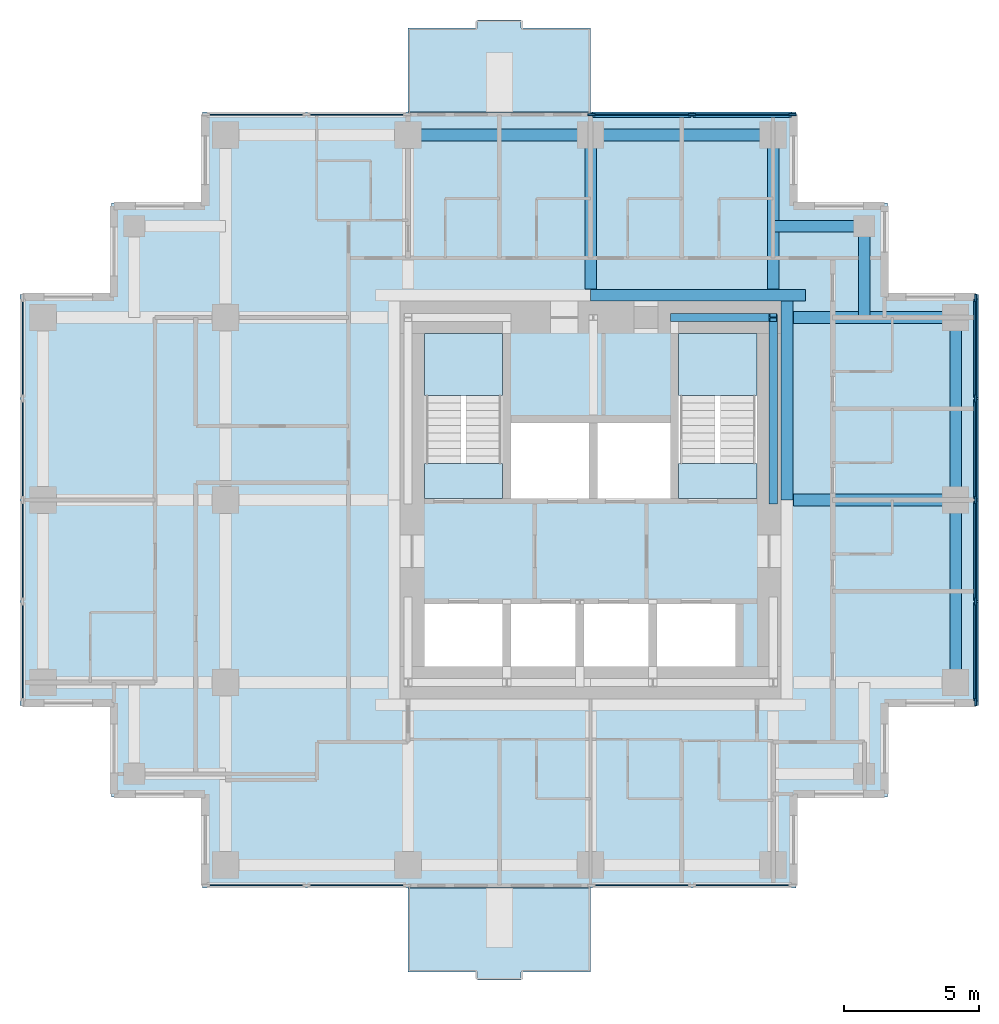
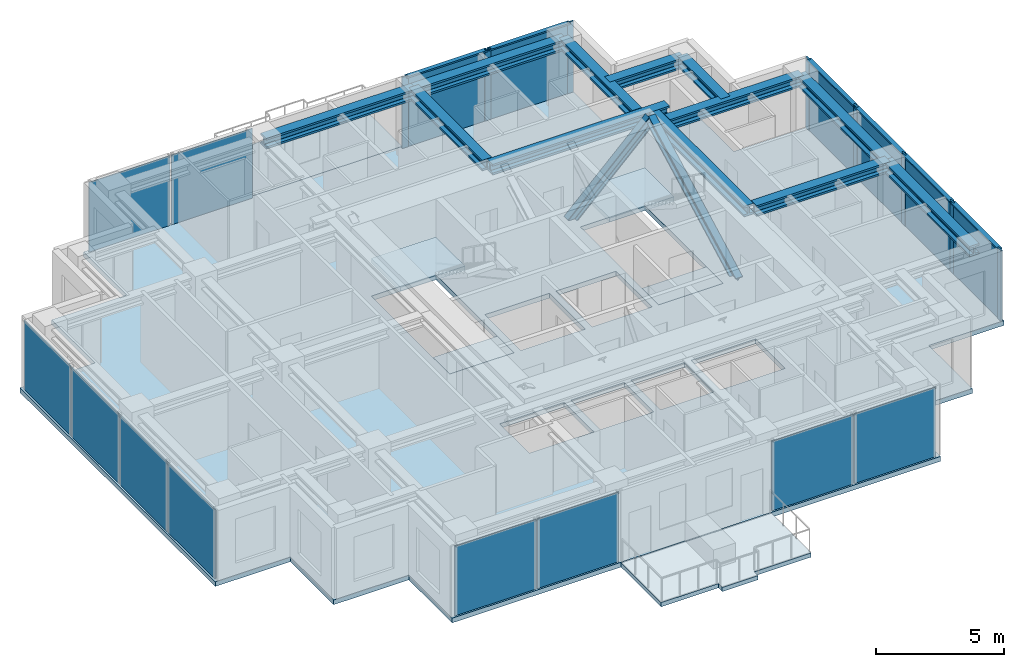
# One storey, part 2 of 8: 16 members, 16 plates, 12 beams, 7 slabs, 8 elements without a shape of their own.
"""IFC4 building model written with IfcOpenShell, lengths in metres."""

from ifc_helpers import new_model, si_unit, direction, frame, origin, origin_2d, place, context, subcontext, project, spatial, polyline, rectangle, i_section, outline, extrude, material, layer, layer_set, material_profile, profile_set, type_object, element, aggregate, save


model = new_model("IFC4")

# Units and contexts
model_context = context("Model", 3, precision=1e-05, world=origin(), true_north=direction((0.0, 1.0)))
body_context = subcontext(model_context, "Body", "Model", "MODEL_VIEW")
ifc_project = project(units=[si_unit("LENGTHUNIT", "METRE"), si_unit("AREAUNIT", "SQUARE_METRE"), si_unit("VOLUMEUNIT", "CUBIC_METRE"), si_unit("PLANEANGLEUNIT", "RADIAN"), si_unit("MASSUNIT", "GRAM", prefix="KILO")], contexts=[model_context])

# Site, building, storey
site_placement = place(None, origin())
site = spatial("IfcSite", under=ifc_project, at=site_placement, CompositionType="ELEMENT")
building_placement = place(site_placement, origin())
building = spatial("IfcBuilding", under=site, at=building_placement, Name="Nyansa Garden Tower", CompositionType="ELEMENT")
storey_placement = place(building_placement, frame((0.0, 0.0, 233.10009765625)))
storey = spatial("IfcBuildingStorey", under=building, at=storey_placement, Name="L63", CompositionType="ELEMENT", Elevation=233.10009765625)

# Curtain wall, members
ifc_material_1 = material(Name="Black anodised aluminium, dark tinted double glazing", Category="aluminium")
curtain_wall_type = type_object("IfcCurtainWallType", Name="Inner skin curtain wall ISW-D", PredefinedType="USERDEFINED", material=ifc_material_1)
curtain_wall_1_placement = place(storey_placement, origin())
curtain_wall_1 = element("IfcCurtainWall", 1, at=curtain_wall_1_placement, inside=storey, type_object=curtain_wall_type, Name="Inner skin curtain wall L63 E", ObjectType="UNITISED CURTAIN WALL", PredefinedType="USERDEFINED")
ifc_material_2 = material(Name="Black anodised aluminium", Category="aluminium")
ifc_material_profile_1 = material_profile(ifc_material_2, rectangle(XDim=0.070068359375, YDim=0.27490234375, at=origin_2d()), Name="Mullion 275x70")
ifc_profile_set_1 = profile_set([ifc_material_profile_1], Name="Black anodised aluminium")
member_type_1 = type_object("IfcMemberType", Name="Mullion ISW-D 275x70", PredefinedType="MULLION", material=ifc_profile_set_1)
member_1_placement = place(storey_placement, frame((34.5, 12.784912109375, 0.0), z_axis=(0.0, 0.0, 1.0), x_axis=(-1.0, 0.0, 0.0)))
member_1 = element("IfcMember", 2, at=member_1_placement, type_object=member_type_1, Name="ISW-D mullion 1", PredefinedType="MULLION", context=body_context, shape_type="SweptSolid", body=[
    extrude(rectangle(XDim=0.070068359375, YDim=0.27490234375, at=origin_2d()), origin(), (0.0, 0.0, 1.0), 3.375),
])
member_2_placement = place(storey_placement, frame((34.5, 16.5, 0.0), z_axis=(0.0, 0.0, 1.0), x_axis=(-1.0, 0.0, 0.0)))
member_2 = element("IfcMember", 3, at=member_2_placement, type_object=member_type_1, Name="ISW-D mullion 2", PredefinedType="MULLION", context=body_context, shape_type="SweptSolid", body=[
    extrude(rectangle(XDim=0.070068359375, YDim=0.27490234375, at=origin_2d()), origin(), (0.0, 0.0, 1.0), 3.375),
])
member_3_placement = place(storey_placement, frame((34.5, 20.25, 0.0), z_axis=(0.0, 0.0, 1.0), x_axis=(-1.0, 0.0, 0.0)))
member_3 = element("IfcMember", 4, at=member_3_placement, type_object=member_type_1, Name="ISW-D mullion 3", PredefinedType="MULLION", context=body_context, shape_type="SweptSolid", body=[
    extrude(rectangle(XDim=0.070068359375, YDim=0.27490234375, at=origin_2d()), origin(), (0.0, 0.0, 1.0), 3.375),
])
member_4_placement = place(storey_placement, frame((34.5, 24.0, 0.0), z_axis=(0.0, 0.0, 1.0), x_axis=(-1.0, 0.0, 0.0)))
member_4 = element("IfcMember", 5, at=member_4_placement, type_object=member_type_1, Name="ISW-D mullion 4", PredefinedType="MULLION", context=body_context, shape_type="SweptSolid", body=[
    extrude(rectangle(XDim=0.070068359375, YDim=0.27490234375, at=origin_2d()), origin(), (0.0, 0.0, 1.0), 3.375),
])
member_5_placement = place(storey_placement, frame((34.5, 27.715087890625, 0.0), z_axis=(0.0, 0.0, 1.0), x_axis=(-1.0, 0.0, 0.0)))
member_5 = element("IfcMember", 6, at=member_5_placement, type_object=member_type_1, Name="ISW-D mullion 5", PredefinedType="MULLION", context=body_context, shape_type="SweptSolid", body=[
    extrude(rectangle(XDim=0.070068359375, YDim=0.27490234375, at=origin_2d()), origin(), (0.0, 0.0, 1.0), 3.375),
])

curtain_wall_2_placement = place(storey_placement, origin())
curtain_wall_2 = element("IfcCurtainWall", 7, at=curtain_wall_2_placement, inside=storey, type_object=curtain_wall_type, Name="Inner skin curtain wall L63 N", ObjectType="UNITISED CURTAIN WALL", PredefinedType="USERDEFINED")
member_6_placement = place(storey_placement, frame((27.715087890625, 34.5, 0.0), z_axis=(0.0, 0.0, 1.0), x_axis=(0.0, -1.0, 0.0)))
member_6 = element("IfcMember", 8, at=member_6_placement, type_object=member_type_1, Name="ISW-D mullion 1", PredefinedType="MULLION", context=body_context, shape_type="SweptSolid", body=[
    extrude(rectangle(XDim=0.070068359375, YDim=0.27490234375, at=origin_2d()), origin(), (0.0, 0.0, 1.0), 3.375),
])
member_7_placement = place(storey_placement, frame((24.0, 34.5, 0.0), z_axis=(0.0, 0.0, 1.0), x_axis=(0.0, -1.0, 0.0)))
member_7 = element("IfcMember", 9, at=member_7_placement, type_object=member_type_1, Name="ISW-D mullion 2", PredefinedType="MULLION", context=body_context, shape_type="SweptSolid", body=[
    extrude(rectangle(XDim=0.070068359375, YDim=0.27490234375, at=origin_2d()), origin(), (0.0, 0.0, 1.0), 3.375),
])
member_8_placement = place(storey_placement, frame((20.284912109375, 34.5, 0.0), z_axis=(0.0, 0.0, 1.0), x_axis=(0.0, -1.0, 0.0)))
member_8 = element("IfcMember", 10, at=member_8_placement, type_object=member_type_1, Name="ISW-D mullion 3", PredefinedType="MULLION", context=body_context, shape_type="SweptSolid", body=[
    extrude(rectangle(XDim=0.070068359375, YDim=0.27490234375, at=origin_2d()), origin(), (0.0, 0.0, 1.0), 3.375),
])

# Members
ifc_material_3 = material(Name="Steel S355", Category="steel")
ifc_material_profile_2 = material_profile(ifc_material_3, i_section(OverallWidth=0.306884765625, OverallDepth=0.431884765625, WebThickness=0.02099609375, FlangeThickness=0.0400390625, FilletRadius=0.027099609375, at=origin_2d()), Name="HE 400 M")
ifc_profile_set_2 = profile_set([ifc_material_profile_2], Name="Steel S355")
member_type_2 = type_object("IfcMemberType", Name="Perimeter brace HE 400 M", PredefinedType="BRACE", material=ifc_profile_set_2)
member_9_placement = place(storey_placement, frame((23.35009765625, 27.0, 0.0), z_axis=(0.711971340796, 0.0, 0.702208523079), x_axis=(0.0, 1.0, 0.0)))
element("IfcMember", 11, at=member_9_placement, inside=storey, type_object=member_type_2, Name="Core brace CN4 L63", PredefinedType="BRACE", context=body_context, shape_type="SweptSolid", body=[
    extrude(i_section(OverallWidth=0.306884765625, OverallDepth=0.431884765625, WebThickness=0.02099609375, FlangeThickness=0.0400390625, FilletRadius=0.027099609375, at=origin_2d()), origin(), (0.0, 0.0, 1.0), 5.12646484375),
])
member_10_placement = place(storey_placement, frame((27.0, 20.199951171875, 0.0), z_axis=(0.0, 0.883797178129, 0.467870225524), x_axis=(-1.0, 0.0, 0.0)))
element("IfcMember", 12, at=member_10_placement, inside=storey, type_object=member_type_2, Name="Core brace CE8 L63", PredefinedType="BRACE", context=body_context, shape_type="SweptSolid", body=[
    extrude(i_section(OverallWidth=0.306884765625, OverallDepth=0.431884765625, WebThickness=0.02099609375, FlangeThickness=0.0400390625, FilletRadius=0.027099609375, at=origin_2d()), origin(), (0.0, 0.0, 1.0), 7.694091796875),
])

# Beams
ifc_material_4 = material(Name="Steel S355", Category="steel")
ifc_material_profile_3 = material_profile(ifc_material_4, i_section(OverallWidth=0.431884765625, OverallDepth=0.498046875, WebThickness=0.0556640625, FlangeThickness=0.0888671875, FilletRadius=0.014892578125, at=origin_2d()), Name="HD 400x744")
ifc_profile_set_3 = profile_set([ifc_material_profile_3], Name="Steel S355")
beam_type_1 = type_object("IfcBeamType", Name="Steel beam SBD1-744 HD 400x744", PredefinedType="BEAM", material=ifc_profile_set_3)
beam_1_placement = place(storey_placement, frame((20.25, 28.050048828125, 3.1259765625), z_axis=(0.0, 1.0, 0.0), x_axis=(-1.0, 0.0, 0.0)))
element("IfcBeam", 13, at=beam_1_placement, inside=storey, type_object=beam_type_1, Name="Steel beam 5/28.050-5/J L64", PredefinedType="BEAM", context=body_context, shape_type="SweptSolid", body=[
    extrude(i_section(OverallWidth=0.431884765625, OverallDepth=0.498046875, WebThickness=0.0556640625, FlangeThickness=0.0888671875, FilletRadius=0.014892578125, at=origin_2d()), origin(), (0.0, 0.0, 1.0), 5.699951171875),
])
beam_2_placement = place(storey_placement, frame((27.75, 20.25, 3.1259765625), z_axis=(1.0, 0.0, 0.0), x_axis=(0.0, 1.0, 0.0)))
element("IfcBeam", 14, at=beam_2_placement, inside=storey, type_object=beam_type_1, Name="Steel beam 27.750/G-7/G L64", PredefinedType="BEAM", context=body_context, shape_type="SweptSolid", body=[
    extrude(i_section(OverallWidth=0.431884765625, OverallDepth=0.498046875, WebThickness=0.0556640625, FlangeThickness=0.0888671875, FilletRadius=0.014892578125, at=origin_2d()), origin(), (0.0, 0.0, 1.0), 6.0),
])
beam_3_placement = place(storey_placement, frame((27.0, 28.050048828125, 3.1259765625), z_axis=(0.0, 1.0, 0.0), x_axis=(-1.0, 0.0, 0.0)))
element("IfcBeam", 15, at=beam_3_placement, inside=storey, type_object=beam_type_1, Name="Steel beam 6/28.050-6/J L64", PredefinedType="BEAM", context=body_context, shape_type="SweptSolid", body=[
    extrude(i_section(OverallWidth=0.431884765625, OverallDepth=0.498046875, WebThickness=0.0556640625, FlangeThickness=0.0888671875, FilletRadius=0.014892578125, at=origin_2d()), origin(), (0.0, 0.0, 1.0), 5.699951171875),
])
beam_4_placement = place(storey_placement, frame((27.75, 27.0, 3.1259765625), z_axis=(1.0, 0.0, 0.0), x_axis=(0.0, 1.0, 0.0)))
element("IfcBeam", 16, at=beam_4_placement, inside=storey, type_object=beam_type_1, Name="Steel beam 27.750/H-7/H L64", PredefinedType="BEAM", context=body_context, shape_type="SweptSolid", body=[
    extrude(i_section(OverallWidth=0.431884765625, OverallDepth=0.498046875, WebThickness=0.0556640625, FlangeThickness=0.0888671875, FilletRadius=0.014892578125, at=origin_2d()), origin(), (0.0, 0.0, 1.0), 6.0),
])
ifc_material_5 = material(Name="Steel S355", Category="steel")
ifc_material_profile_4 = material_profile(ifc_material_5, i_section(OverallWidth=0.431884765625, OverallDepth=0.498046875, WebThickness=0.0556640625, FlangeThickness=0.0888671875, FilletRadius=0.014892578125, at=origin_2d()), Name="HD 400x744")
ifc_profile_set_4 = profile_set([ifc_material_profile_4], Name="Steel S355")
beam_type_2 = type_object("IfcBeamType", Name="Steel beam SEBD-744 HD 400x744", PredefinedType="BEAM", material=ifc_profile_set_4)
for number, where, z_axis, x_axis, name in (
    (17, (13.5, 33.75, 3.1259765625), (1.0, 0.0, 0.0), (0.0, 1.0, 0.0), "Steel edge beam 4/J-5/J L64"),
    (18, (20.25, 33.75, 3.1259765625), (1.0, 0.0, 0.0), (0.0, 1.0, 0.0), "Steel edge beam 5/J-6/J L64"),
    (19, (33.75, 13.5, 3.1259765625), (0.0, 1.0, 0.0), (-1.0, 0.0, 0.0), "Steel edge beam 7/F-7/G L64"),
    (20, (33.75, 20.25, 3.1259765625), (0.0, 1.0, 0.0), (-1.0, 0.0, 0.0), "Steel edge beam 7/G-7/H L64"),
):
    element("IfcBeam", number, at=place(storey_placement, frame(where, z_axis=z_axis, x_axis=x_axis)), inside=storey, type_object=beam_type_2, Name=name, PredefinedType="BEAM", context=body_context, shape_type="SweptSolid", body=[
        extrude(i_section(OverallWidth=0.431884765625, OverallDepth=0.498046875, WebThickness=0.0556640625, FlangeThickness=0.0888671875, FilletRadius=0.014892578125, at=origin_2d()), origin(), (0.0, 0.0, 1.0), 6.75),
    ])
ifc_material_6 = material(Name="Steel S355", Category="steel")
ifc_material_profile_5 = material_profile(ifc_material_6, i_section(OverallWidth=0.431884765625, OverallDepth=0.498046875, WebThickness=0.0556640625, FlangeThickness=0.0888671875, FilletRadius=0.014892578125, at=origin_2d()), Name="HD 400x744")
ifc_profile_set_5 = profile_set([ifc_material_profile_5], Name="Steel S355")
beam_type_3 = type_object("IfcBeamType", Name="Steel beam SLB1-744 HD 400x744", PredefinedType="BEAM", material=ifc_profile_set_5)
beam_5_placement = place(storey_placement, frame((27.51611328125, 20.25, 3.1259765625), z_axis=(0.0, 1.0, 0.0), x_axis=(-1.0, 0.0, 0.0)))
element("IfcBeam", 21, at=beam_5_placement, inside=storey, type_object=beam_type_3, Name="Steel core ledger beam E.2 L64", PredefinedType="BEAM", context=body_context, shape_type="SweptSolid", body=[
    extrude(i_section(OverallWidth=0.431884765625, OverallDepth=0.498046875, WebThickness=0.0556640625, FlangeThickness=0.0888671875, FilletRadius=0.014892578125, at=origin_2d()), origin(), (0.0, 0.0, 1.0), 7.35009765625),
])
beam_6_placement = place(storey_placement, frame((28.199951171875, 27.81591796875, 3.1259765625), z_axis=(-1.0, 0.0, 0.0), x_axis=(0.0, -1.0, 0.0)))
element("IfcBeam", 22, at=beam_6_placement, inside=storey, type_object=beam_type_3, Name="Steel core ledger beam N.1 L64", PredefinedType="BEAM", context=body_context, shape_type="SweptSolid", body=[
    extrude(i_section(OverallWidth=0.431884765625, OverallDepth=0.498046875, WebThickness=0.0556640625, FlangeThickness=0.0888671875, FilletRadius=0.014892578125, at=origin_2d()), origin(), (0.0, 0.0, 1.0), 7.949951171875),
])
ifc_material_7 = material(Name="Steel S355", Category="steel")
ifc_material_profile_6 = material_profile(ifc_material_7, i_section(OverallWidth=0.431884765625, OverallDepth=0.498046875, WebThickness=0.0556640625, FlangeThickness=0.0888671875, FilletRadius=0.014892578125, at=origin_2d()), Name="HD 400x744")
ifc_profile_set_6 = profile_set([ifc_material_profile_6], Name="Steel S355")
beam_type_4 = type_object("IfcBeamType", Name="Steel beam SSB1-744 HD 400x744", PredefinedType="BEAM", material=ifc_profile_set_6)
for number, where, z_axis, x_axis, name in (
    (23, (30.375, 30.375, 3.1259765625), (0.0, -1.0, 0.0), (1.0, 0.0, 0.0), "Steel step beam 30.375/30.375 L64"),
    (24, (30.375, 30.375, 3.1259765625), (-1.0, 0.0, 0.0), (0.0, -1.0, 0.0), "Steel step beam 30.375/30.375 L64"),
):
    element("IfcBeam", number, at=place(storey_placement, frame(where, z_axis=z_axis, x_axis=x_axis)), inside=storey, type_object=beam_type_4, Name=name, PredefinedType="BEAM", context=body_context, shape_type="SweptSolid", body=[
        extrude(i_section(OverallWidth=0.431884765625, OverallDepth=0.498046875, WebThickness=0.0556640625, FlangeThickness=0.0888671875, FilletRadius=0.014892578125, at=origin_2d()), origin(), (0.0, 0.0, 1.0), 3.375),
    ])

# Member
ifc_material_8 = material(Name="Black anodised aluminium", Category="aluminium")
ifc_material_profile_7 = material_profile(ifc_material_8, rectangle(XDim=0.195068359375, YDim=0.070068359375, at=origin_2d()), Name="Transom 195x70")
ifc_profile_set_7 = profile_set([ifc_material_profile_7], Name="Black anodised aluminium")
member_type_3 = type_object("IfcMemberType", Name="Transom ISW-D 195x70", PredefinedType="USERDEFINED", material=ifc_profile_set_7)
member_11_placement = place(storey_placement, frame((34.5, 12.820068359375, 3.33984375), z_axis=(0.0, 1.0, 0.0), x_axis=(-1.0, 0.0, 0.0)))
member_11 = element("IfcMember", 25, at=member_11_placement, type_object=member_type_3, Name="ISW-D transom 1", ObjectType="TRANSOM", PredefinedType="USERDEFINED", context=body_context, shape_type="SweptSolid", body=[
    extrude(rectangle(XDim=0.195068359375, YDim=0.070068359375, at=origin_2d()), origin(), (0.0, 0.0, 1.0), 3.64501953125),
])

member_12_placement = place(storey_placement, frame((34.5, 16.534912109375, 3.33984375), z_axis=(0.0, 1.0, 0.0), x_axis=(-1.0, 0.0, 0.0)))
member_12 = element("IfcMember", 26, at=member_12_placement, type_object=member_type_3, Name="ISW-D transom 2", ObjectType="TRANSOM", PredefinedType="USERDEFINED", context=body_context, shape_type="SweptSolid", body=[
    extrude(rectangle(XDim=0.195068359375, YDim=0.070068359375, at=origin_2d()), origin(), (0.0, 0.0, 1.0), 3.68017578125),
])

member_13_placement = place(storey_placement, frame((34.5, 20.284912109375, 3.33984375), z_axis=(0.0, 1.0, 0.0), x_axis=(-1.0, 0.0, 0.0)))
member_13 = element("IfcMember", 27, at=member_13_placement, type_object=member_type_3, Name="ISW-D transom 3", ObjectType="TRANSOM", PredefinedType="USERDEFINED", context=body_context, shape_type="SweptSolid", body=[
    extrude(rectangle(XDim=0.195068359375, YDim=0.070068359375, at=origin_2d()), origin(), (0.0, 0.0, 1.0), 3.68017578125),
])

member_14_placement = place(storey_placement, frame((34.5, 24.034912109375, 3.33984375), z_axis=(0.0, 1.0, 0.0), x_axis=(-1.0, 0.0, 0.0)))
member_14 = element("IfcMember", 28, at=member_14_placement, type_object=member_type_3, Name="ISW-D transom 4", ObjectType="TRANSOM", PredefinedType="USERDEFINED", context=body_context, shape_type="SweptSolid", body=[
    extrude(rectangle(XDim=0.195068359375, YDim=0.070068359375, at=origin_2d()), origin(), (0.0, 0.0, 1.0), 3.64501953125),
])

member_15_placement = place(storey_placement, frame((27.679931640625, 34.5, 3.33984375), z_axis=(-1.0, 0.0, 0.0), x_axis=(0.0, -1.0, 0.0)))
member_15 = element("IfcMember", 29, at=member_15_placement, type_object=member_type_3, Name="ISW-D transom 1", ObjectType="TRANSOM", PredefinedType="USERDEFINED", context=body_context, shape_type="SweptSolid", body=[
    extrude(rectangle(XDim=0.195068359375, YDim=0.070068359375, at=origin_2d()), origin(), (0.0, 0.0, 1.0), 3.64501953125),
])

member_16_placement = place(storey_placement, frame((23.965087890625, 34.5, 3.33984375), z_axis=(-1.0, 0.0, 0.0), x_axis=(0.0, -1.0, 0.0)))
member_16 = element("IfcMember", 30, at=member_16_placement, type_object=member_type_3, Name="ISW-D transom 2", ObjectType="TRANSOM", PredefinedType="USERDEFINED", context=body_context, shape_type="SweptSolid", body=[
    extrude(rectangle(XDim=0.195068359375, YDim=0.070068359375, at=origin_2d()), origin(), (0.0, 0.0, 1.0), 3.64501953125),
])

# Slabs
ifc_material_9 = material(Name="Concrete C40/50", Category="concrete")
ifc_layer_1 = layer(ifc_material_9, 0.199951171875)
ifc_layer_set_1 = layer_set([ifc_layer_1], Name="Balcony slab BS200")
slab_type_1 = type_object("IfcSlabType", Name="Balcony slab BS200", PredefinedType="FLOOR", material=ifc_layer_set_1)
slab_1_placement = place(storey_placement, frame((0.0, 0.0, -0.239990234375)))
element("IfcSlab", 31, at=slab_1_placement, inside=storey, type_object=slab_type_1, Name="Balcony L63 S", PredefinedType="FLOOR", context=body_context, shape_type="SweptSolid", body=[
    extrude(outline(polyline([(13.5, 5.89990234375), (20.25, 5.89990234375), (20.25, 2.800048828125), (17.675048828125, 2.800048828125), (17.675048828125, 2.5), (16.074951171875, 2.5), (16.074951171875, 2.800048828125), (13.5, 2.800048828125), (13.5, 5.89990234375)])), origin(), (0.0, 0.0, 1.0), 0.199951171875),
])
slab_2_placement = place(storey_placement, frame((0.0, 0.0, -0.239990234375)))
element("IfcSlab", 32, at=slab_2_placement, inside=storey, type_object=slab_type_1, Name="Balcony L63 N", PredefinedType="FLOOR", context=body_context, shape_type="SweptSolid", body=[
    extrude(outline(polyline([(13.5, 34.60009765625), (20.25, 34.60009765625), (20.25, 37.699951171875), (17.675048828125, 37.699951171875), (17.675048828125, 38.0), (16.074951171875, 38.0), (16.074951171875, 37.699951171875), (13.5, 37.699951171875), (13.5, 34.60009765625)])), origin(), (0.0, 0.0, 1.0), 0.199951171875),
])

# Plate
ifc_material_10 = material(Name="Dark tinted laminated double glazing", Category="glass")
ifc_layer_2 = layer(ifc_material_10, 0.0439453125)
ifc_layer_set_2 = layer_set([ifc_layer_2], Name="Dark tinted vision panel VP-D")
plate_type = type_object("IfcPlateType", Name="Dark tinted vision panel VP-D", PredefinedType="CURTAIN_PANEL", material=ifc_layer_set_2)
plate_1_placement = place(storey_placement, frame((34.5, 14.642578125, 0.0), z_axis=(0.0, 0.0, 1.0), x_axis=(0.0, 1.0, 0.0)))
plate_1 = element("IfcPlate", 33, at=plate_1_placement, type_object=plate_type, Name="ISW-D panel 1", PredefinedType="CURTAIN_PANEL", context=body_context, shape_type="SweptSolid", body=[
    extrude(rectangle(XDim=3.64501953125, YDim=0.0439453125, at=origin_2d()), origin(), (0.0, 0.0, 1.0), 3.304931640625),
])

plate_2_placement = place(storey_placement, frame((34.5, 18.375, 0.0), z_axis=(0.0, 0.0, 1.0), x_axis=(0.0, 1.0, 0.0)))
plate_2 = element("IfcPlate", 34, at=plate_2_placement, type_object=plate_type, Name="ISW-D panel 2", PredefinedType="CURTAIN_PANEL", context=body_context, shape_type="SweptSolid", body=[
    extrude(rectangle(XDim=3.679931640625, YDim=0.0439453125, at=origin_2d()), origin(), (0.0, 0.0, 1.0), 3.304931640625),
])

plate_3_placement = place(storey_placement, frame((34.5, 22.125, 0.0), z_axis=(0.0, 0.0, 1.0), x_axis=(0.0, 1.0, 0.0)))
plate_3 = element("IfcPlate", 35, at=plate_3_placement, type_object=plate_type, Name="ISW-D panel 3", PredefinedType="CURTAIN_PANEL", context=body_context, shape_type="SweptSolid", body=[
    extrude(rectangle(XDim=3.679931640625, YDim=0.0439453125, at=origin_2d()), origin(), (0.0, 0.0, 1.0), 3.304931640625),
])

plate_4_placement = place(storey_placement, frame((34.5, 25.857421875, 0.0), z_axis=(0.0, 0.0, 1.0), x_axis=(0.0, 1.0, 0.0)))
plate_4 = element("IfcPlate", 36, at=plate_4_placement, type_object=plate_type, Name="ISW-D panel 4", PredefinedType="CURTAIN_PANEL", context=body_context, shape_type="SweptSolid", body=[
    extrude(rectangle(XDim=3.64501953125, YDim=0.0439453125, at=origin_2d()), origin(), (0.0, 0.0, 1.0), 3.304931640625),
])

aggregate(curtain_wall_1, [member_1, member_2, member_3, member_4, member_5, member_11, plate_1, member_12, plate_2, member_13, plate_3, member_14, plate_4])

# Curtain wall, plates
curtain_wall_3_placement = place(storey_placement, origin())
curtain_wall_3 = element("IfcCurtainWall", 37, at=curtain_wall_3_placement, inside=storey, type_object=curtain_wall_type, Name="Inner skin curtain wall L63 N", ObjectType="UNITISED CURTAIN WALL", PredefinedType="USERDEFINED")
plate_5_placement = place(storey_placement, frame((11.607421875, 34.5, 0.0), z_axis=(0.0, 0.0, 1.0), x_axis=(-1.0, 0.0, 0.0)))
plate_5 = element("IfcPlate", 38, at=plate_5_placement, type_object=plate_type, Name="ISW-D panel 1", PredefinedType="CURTAIN_PANEL", context=body_context, shape_type="SweptSolid", body=[
    extrude(rectangle(XDim=3.64501953125, YDim=0.0439453125, at=origin_2d()), origin(), (0.0, 0.0, 1.0), 3.304931640625),
])
plate_6_placement = place(storey_placement, frame((7.892578125, 34.5, 0.0), z_axis=(0.0, 0.0, 1.0), x_axis=(-1.0, 0.0, 0.0)))
plate_6 = element("IfcPlate", 39, at=plate_6_placement, type_object=plate_type, Name="ISW-D panel 2", PredefinedType="CURTAIN_PANEL", context=body_context, shape_type="SweptSolid", body=[
    extrude(rectangle(XDim=3.64501953125, YDim=0.0439453125, at=origin_2d()), origin(), (0.0, 0.0, 1.0), 3.304931640625),
])
aggregate(curtain_wall_3, [plate_5, plate_6])

# Plate
plate_7_placement = place(storey_placement, frame((25.857421875, 34.5, 0.0), z_axis=(0.0, 0.0, 1.0), x_axis=(-1.0, 0.0, 0.0)))
plate_7 = element("IfcPlate", 40, at=plate_7_placement, type_object=plate_type, Name="ISW-D panel 1", PredefinedType="CURTAIN_PANEL", context=body_context, shape_type="SweptSolid", body=[
    extrude(rectangle(XDim=3.64501953125, YDim=0.0439453125, at=origin_2d()), origin(), (0.0, 0.0, 1.0), 3.304931640625),
])

plate_8_placement = place(storey_placement, frame((22.142578125, 34.5, 0.0), z_axis=(0.0, 0.0, 1.0), x_axis=(-1.0, 0.0, 0.0)))
plate_8 = element("IfcPlate", 41, at=plate_8_placement, type_object=plate_type, Name="ISW-D panel 2", PredefinedType="CURTAIN_PANEL", context=body_context, shape_type="SweptSolid", body=[
    extrude(rectangle(XDim=3.64501953125, YDim=0.0439453125, at=origin_2d()), origin(), (0.0, 0.0, 1.0), 3.304931640625),
])

aggregate(curtain_wall_2, [member_6, member_7, member_8, member_15, plate_7, member_16, plate_8])

# Curtain wall, plates
curtain_wall_4_placement = place(storey_placement, origin())
curtain_wall_4 = element("IfcCurtainWall", 42, at=curtain_wall_4_placement, inside=storey, type_object=curtain_wall_type, Name="Inner skin curtain wall L63 W", ObjectType="UNITISED CURTAIN WALL", PredefinedType="USERDEFINED")
plate_9_placement = place(storey_placement, frame((-0.75, 25.857421875, 0.0), z_axis=(0.0, 0.0, 1.0), x_axis=(0.0, -1.0, 0.0)))
plate_9 = element("IfcPlate", 43, at=plate_9_placement, type_object=plate_type, Name="ISW-D panel 1", PredefinedType="CURTAIN_PANEL", context=body_context, shape_type="SweptSolid", body=[
    extrude(rectangle(XDim=3.64501953125, YDim=0.0439453125, at=origin_2d()), origin(), (0.0, 0.0, 1.0), 3.304931640625),
])
plate_10_placement = place(storey_placement, frame((-0.75, 22.125, 0.0), z_axis=(0.0, 0.0, 1.0), x_axis=(0.0, -1.0, 0.0)))
plate_10 = element("IfcPlate", 44, at=plate_10_placement, type_object=plate_type, Name="ISW-D panel 2", PredefinedType="CURTAIN_PANEL", context=body_context, shape_type="SweptSolid", body=[
    extrude(rectangle(XDim=3.679931640625, YDim=0.0439453125, at=origin_2d()), origin(), (0.0, 0.0, 1.0), 3.304931640625),
])
plate_11_placement = place(storey_placement, frame((-0.75, 18.375, 0.0), z_axis=(0.0, 0.0, 1.0), x_axis=(0.0, -1.0, 0.0)))
plate_11 = element("IfcPlate", 45, at=plate_11_placement, type_object=plate_type, Name="ISW-D panel 3", PredefinedType="CURTAIN_PANEL", context=body_context, shape_type="SweptSolid", body=[
    extrude(rectangle(XDim=3.679931640625, YDim=0.0439453125, at=origin_2d()), origin(), (0.0, 0.0, 1.0), 3.304931640625),
])
plate_12_placement = place(storey_placement, frame((-0.75, 14.642578125, 0.0), z_axis=(0.0, 0.0, 1.0), x_axis=(0.0, -1.0, 0.0)))
plate_12 = element("IfcPlate", 46, at=plate_12_placement, type_object=plate_type, Name="ISW-D panel 4", PredefinedType="CURTAIN_PANEL", context=body_context, shape_type="SweptSolid", body=[
    extrude(rectangle(XDim=3.64501953125, YDim=0.0439453125, at=origin_2d()), origin(), (0.0, 0.0, 1.0), 3.304931640625),
])
aggregate(curtain_wall_4, [plate_9, plate_10, plate_11, plate_12])

curtain_wall_5_placement = place(storey_placement, origin())
curtain_wall_5 = element("IfcCurtainWall", 47, at=curtain_wall_5_placement, inside=storey, type_object=curtain_wall_type, Name="Inner skin curtain wall L63 S", ObjectType="UNITISED CURTAIN WALL", PredefinedType="USERDEFINED")
plate_13_placement = place(storey_placement, frame((7.892578125, 6.0, 0.0), z_axis=(0.0, 0.0, 1.0), x_axis=(1.0, 0.0, 0.0)))
plate_13 = element("IfcPlate", 48, at=plate_13_placement, type_object=plate_type, Name="ISW-D panel 1", PredefinedType="CURTAIN_PANEL", context=body_context, shape_type="SweptSolid", body=[
    extrude(rectangle(XDim=3.64501953125, YDim=0.0439453125, at=origin_2d()), origin(), (0.0, 0.0, 1.0), 3.304931640625),
])
plate_14_placement = place(storey_placement, frame((11.607421875, 6.0, 0.0), z_axis=(0.0, 0.0, 1.0), x_axis=(1.0, 0.0, 0.0)))
plate_14 = element("IfcPlate", 49, at=plate_14_placement, type_object=plate_type, Name="ISW-D panel 2", PredefinedType="CURTAIN_PANEL", context=body_context, shape_type="SweptSolid", body=[
    extrude(rectangle(XDim=3.64501953125, YDim=0.0439453125, at=origin_2d()), origin(), (0.0, 0.0, 1.0), 3.304931640625),
])
aggregate(curtain_wall_5, [plate_13, plate_14])

curtain_wall_6_placement = place(storey_placement, origin())
curtain_wall_6 = element("IfcCurtainWall", 50, at=curtain_wall_6_placement, inside=storey, type_object=curtain_wall_type, Name="Inner skin curtain wall L63 S", ObjectType="UNITISED CURTAIN WALL", PredefinedType="USERDEFINED")
plate_15_placement = place(storey_placement, frame((22.142578125, 6.0, 0.0), z_axis=(0.0, 0.0, 1.0), x_axis=(1.0, 0.0, 0.0)))
plate_15 = element("IfcPlate", 51, at=plate_15_placement, type_object=plate_type, Name="ISW-D panel 1", PredefinedType="CURTAIN_PANEL", context=body_context, shape_type="SweptSolid", body=[
    extrude(rectangle(XDim=3.64501953125, YDim=0.0439453125, at=origin_2d()), origin(), (0.0, 0.0, 1.0), 3.304931640625),
])
plate_16_placement = place(storey_placement, frame((25.857421875, 6.0, 0.0), z_axis=(0.0, 0.0, 1.0), x_axis=(1.0, 0.0, 0.0)))
plate_16 = element("IfcPlate", 52, at=plate_16_placement, type_object=plate_type, Name="ISW-D panel 2", PredefinedType="CURTAIN_PANEL", context=body_context, shape_type="SweptSolid", body=[
    extrude(rectangle(XDim=3.64501953125, YDim=0.0439453125, at=origin_2d()), origin(), (0.0, 0.0, 1.0), 3.304931640625),
])
aggregate(curtain_wall_6, [plate_15, plate_16])

# Slab
ifc_material_11 = material(Name="Concrete C40/50", Category="concrete")
ifc_layer_3 = layer(ifc_material_11, 0.22509765625)
ifc_layer_set_3 = layer_set([ifc_layer_3], Name="Floor slab FS225")
slab_type_2 = type_object("IfcSlabType", Name="Floor slab FS225", PredefinedType="FLOOR", material=ifc_layer_set_3)
slab_3_placement = place(storey_placement, frame((0.0, 0.0, -0.22509765625)))
element("IfcSlab", 53, at=slab_3_placement, inside=storey, type_object=slab_type_2, Name="Floor slab L63", PredefinedType="FLOOR", context=body_context, shape_type="SweptSolid", body=[
    extrude(outline(polyline([(34.60009765625, 12.64990234375), (31.22509765625, 12.64990234375), (31.22509765625, 9.27490234375), (27.85009765625, 9.27490234375), (27.85009765625, 5.89990234375), (5.89990234375, 5.89990234375), (5.89990234375, 9.27490234375), (2.52490234375, 9.27490234375), (2.52490234375, 12.64990234375), (-0.85009765625, 12.64990234375), (-0.85009765625, 27.85009765625), (2.52490234375, 27.85009765625), (2.52490234375, 31.22509765625), (5.89990234375, 31.22509765625), (5.89990234375, 34.60009765625), (27.85009765625, 34.60009765625), (27.85009765625, 31.22509765625), (31.22509765625, 31.22509765625), (31.22509765625, 27.85009765625), (34.60009765625, 27.85009765625), (34.60009765625, 12.64990234375)]), holes=[polyline([(14.10009765625, 14.10009765625), (17.0, 14.10009765625), (17.0, 16.39990234375), (14.10009765625, 16.39990234375), (14.10009765625, 14.10009765625)]), polyline([(17.300048828125, 14.10009765625), (19.699951171875, 14.10009765625), (19.699951171875, 16.39990234375), (17.300048828125, 16.39990234375), (17.300048828125, 14.10009765625)]), polyline([(20.0, 14.10009765625), (22.39990234375, 14.10009765625), (22.39990234375, 16.39990234375), (20.0, 16.39990234375), (20.0, 14.10009765625)]), polyline([(22.699951171875, 14.10009765625), (25.60009765625, 14.10009765625), (25.60009765625, 16.39990234375), (22.699951171875, 16.39990234375), (22.699951171875, 14.10009765625)]), polyline([(17.300048828125, 20.300048828125), (20.199951171875, 20.300048828125), (20.199951171875, 23.10009765625), (17.300048828125, 23.10009765625), (17.300048828125, 20.300048828125)]), polyline([(20.5, 20.300048828125), (23.199951171875, 20.300048828125), (23.199951171875, 23.10009765625), (20.5, 23.10009765625), (20.5, 20.300048828125)]), polyline([(14.10009765625, 20.300048828125), (17.0, 20.300048828125), (17.0, 26.39990234375), (14.10009765625, 26.39990234375), (14.10009765625, 20.300048828125)]), polyline([(23.5, 20.300048828125), (26.39990234375, 20.300048828125), (26.39990234375, 26.39990234375), (23.5, 26.39990234375), (23.5, 20.300048828125)])]), origin(), (0.0, 0.0, 1.0), 0.22509765625),
])

# Stair, slabs
ifc_material_12 = material(Name="Precast concrete C40/50", Category="concrete")
stair_type_1 = type_object("IfcStairType", Name="Stair S1 180x280", PredefinedType="HALF_TURN_STAIR", material=ifc_material_12)
stair_1_placement = place(storey_placement, origin())
stair_1 = element("IfcStair", 54, at=stair_1_placement, inside=storey, type_object=stair_type_1, Name="Stair S1 L63", PredefinedType="HALF_TURN_STAIR")
ifc_material_13 = material(Name="Concrete C40/50", Category="concrete")
ifc_layer_4 = layer(ifc_material_13, 0.199951171875)
ifc_layer_set_4 = layer_set([ifc_layer_4], Name="Stair landing SL200")
slab_type_3 = type_object("IfcSlabType", Name="Stair landing SL200", PredefinedType="LANDING", material=ifc_layer_set_4)
slab_4_placement = place(storey_placement, frame((0.0, 0.0, -0.2001953125)))
slab_4 = element("IfcSlab", 55, at=slab_4_placement, type_object=slab_type_3, Name="S1 landing 1", PredefinedType="LANDING", context=body_context, shape_type="SweptSolid", body=[
    extrude(outline(polyline([(14.10009765625, 20.300048828125), (17.0, 20.300048828125), (17.0, 21.60009765625), (14.10009765625, 21.60009765625), (14.10009765625, 20.300048828125)])), origin(), (0.0, 0.0, 1.0), 0.2001953125),
])
slab_5_placement = place(storey_placement, frame((0.0, 0.0, 1.599853515625)))
slab_5 = element("IfcSlab", 56, at=slab_5_placement, type_object=slab_type_3, Name="S1 landing 2", PredefinedType="LANDING", context=body_context, shape_type="SweptSolid", body=[
    extrude(outline(polyline([(14.10009765625, 24.1201171875), (17.0, 24.1201171875), (17.0, 26.39990234375), (14.10009765625, 26.39990234375), (14.10009765625, 24.1201171875)])), origin(), (0.0, 0.0, 1.0), 0.199951171875),
])
aggregate(stair_1, [slab_4, slab_5])

ifc_material_14 = material(Name="Precast concrete C40/50", Category="concrete")
stair_type_2 = type_object("IfcStairType", Name="Stair S2 180x280", PredefinedType="HALF_TURN_STAIR", material=ifc_material_14)
stair_2_placement = place(storey_placement, origin())
stair_2 = element("IfcStair", 57, at=stair_2_placement, inside=storey, type_object=stair_type_2, Name="Stair S2 L63", PredefinedType="HALF_TURN_STAIR")
slab_6_placement = place(storey_placement, frame((0.0, 0.0, -0.2001953125)))
slab_6 = element("IfcSlab", 58, at=slab_6_placement, type_object=slab_type_3, Name="S2 landing 1", PredefinedType="LANDING", context=body_context, shape_type="SweptSolid", body=[
    extrude(outline(polyline([(23.5, 20.300048828125), (26.39990234375, 20.300048828125), (26.39990234375, 21.60009765625), (23.5, 21.60009765625), (23.5, 20.300048828125)])), origin(), (0.0, 0.0, 1.0), 0.2001953125),
])
slab_7_placement = place(storey_placement, frame((0.0, 0.0, 1.599853515625)))
slab_7 = element("IfcSlab", 59, at=slab_7_placement, type_object=slab_type_3, Name="S2 landing 2", PredefinedType="LANDING", context=body_context, shape_type="SweptSolid", body=[
    extrude(outline(polyline([(23.5, 24.1201171875), (26.39990234375, 24.1201171875), (26.39990234375, 26.39990234375), (23.5, 26.39990234375), (23.5, 24.1201171875)])), origin(), (0.0, 0.0, 1.0), 0.199951171875),
])
aggregate(stair_2, [slab_6, slab_7])

save(model, "model.ifc")
